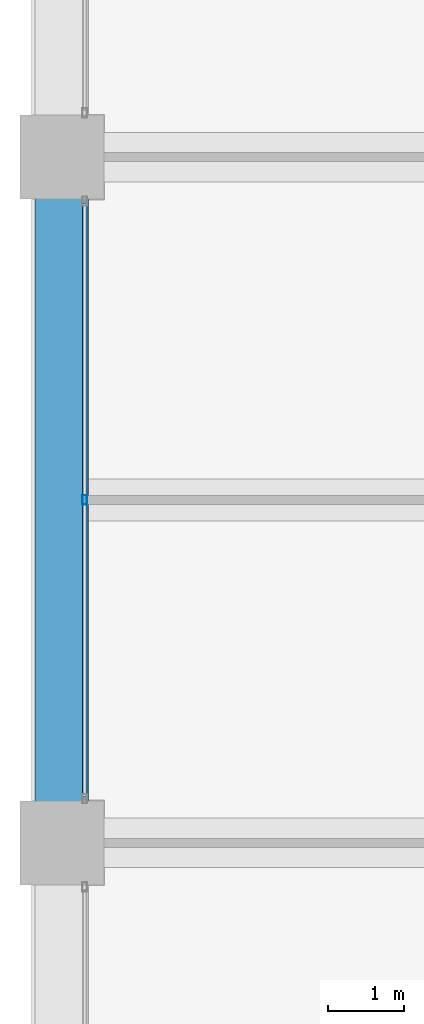
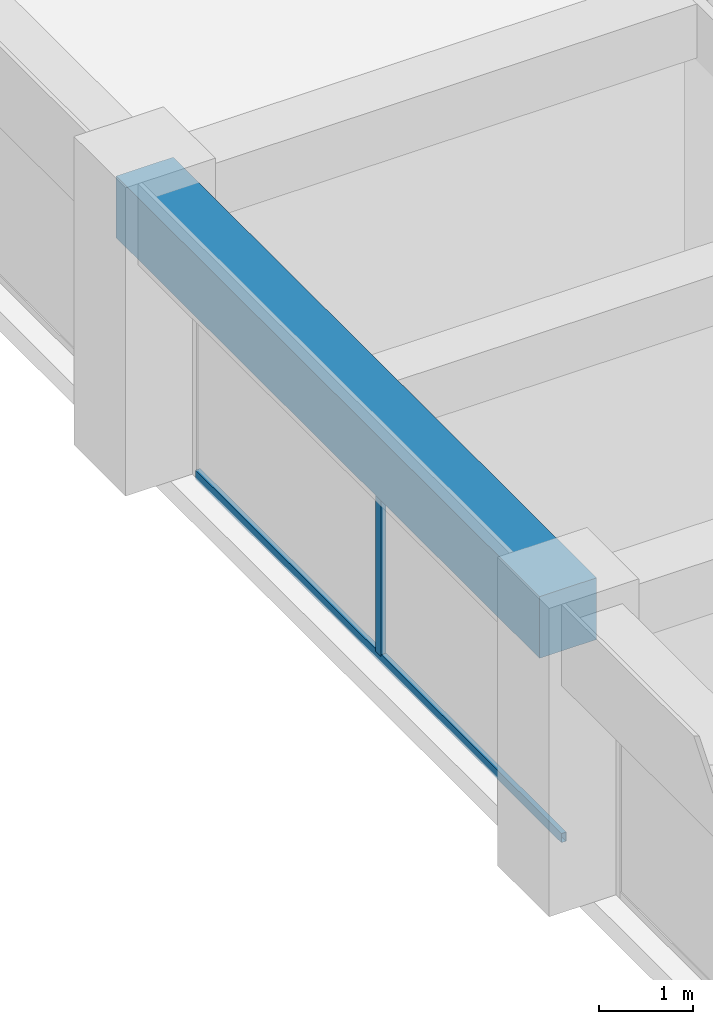
# One storey, part 14 of 44: 2 members, 1 beam, 1 element without a shape of its own.
"""IFC4 building model written with IfcOpenShell, lengths in metres."""

from ifc_helpers import new_model, si_unit, direction, frame, origin, origin_2d, place, context, subcontext, project, spatial, rectangle, hollow_rectangle, extrude, material, material_profile, profile_set, type_object, element, aggregate, save


model = new_model("IFC4")

# Units and contexts
model_context = context("Model", 3, precision=1e-05, world=origin(), true_north=direction((0.0, 1.0)))
body_context = subcontext(model_context, "Body", "Model", "MODEL_VIEW")
ifc_project = project(units=[si_unit("LENGTHUNIT", "METRE"), si_unit("AREAUNIT", "SQUARE_METRE"), si_unit("VOLUMEUNIT", "CUBIC_METRE"), si_unit("PLANEANGLEUNIT", "RADIAN"), si_unit("MASSUNIT", "GRAM", prefix="KILO")], contexts=[model_context])

# Site, building, storey
site_placement = place(None, origin())
site = spatial("IfcSite", under=ifc_project, at=site_placement, CompositionType="ELEMENT")
building_placement = place(site_placement, origin())
building = spatial("IfcBuilding", under=site, at=building_placement, Name="Zorevar Civic Tower", CompositionType="ELEMENT")
storey_placement = place(building_placement, frame((0.0, 0.0, 275.39990234375)))
storey = spatial("IfcBuildingStorey", under=building, at=storey_placement, Name="L67", CompositionType="ELEMENT", Elevation=275.39990234375)

# Curtain wall, members
ifc_material_1 = material(Name="Dark grey solar-control glass in black aluminium frame", Category="aluminium")
curtain_wall_type = type_object("IfcCurtainWallType", Name="Curtain wall CW5 top zone", PredefinedType="NOTDEFINED", material=ifc_material_1)
curtain_wall_placement = place(storey_placement, origin())
curtain_wall = element("IfcCurtainWall", 1, at=curtain_wall_placement, inside=storey, type_object=curtain_wall_type, Name="CW5 L67", PredefinedType="NOTDEFINED")
ifc_material_2 = material(Name="Aluminium, black anodised", Category="aluminium")
ifc_material_profile_1 = material_profile(ifc_material_2, hollow_rectangle(XDim=0.06005859375, YDim=0.1201171875, WallThickness=0.0029296875, at=origin_2d()), Name="AL 120x60x3")
ifc_profile_set_1 = profile_set([ifc_material_profile_1], Name="Aluminium, black anodised")
member_type_1 = type_object("IfcMemberType", Name="CW5 mullion AL 120x60x3", PredefinedType="MULLION", material=ifc_profile_set_1)
member_1_placement = place(storey_placement, frame((9.300048828125, 22.5, 0.06005859375), z_axis=(0.0, 0.0, 1.0), x_axis=(-1.0, 0.0, 0.0)))
member_1 = element("IfcMember", 2, at=member_1_placement, type_object=member_type_1, Name="CW5 mullion 2", PredefinedType="MULLION", context=body_context, shape_type="SweptSolid", body=[
    extrude(hollow_rectangle(XDim=0.06005859375, YDim=0.1201171875, WallThickness=0.0029296875, at=origin_2d()), origin(), (0.0, 0.0, 1.0), 2.89013671875),
])
ifc_material_3 = material(Name="Aluminium, black anodised", Category="aluminium")
ifc_material_profile_2 = material_profile(ifc_material_3, hollow_rectangle(XDim=0.06005859375, YDim=0.1201171875, WallThickness=0.0029296875, at=origin_2d()), Name="AL 120x60x3")
ifc_profile_set_2 = profile_set([ifc_material_profile_2], Name="Aluminium, black anodised")
member_type_2 = type_object("IfcMemberType", Name="CW5 transom AL 120x60x3", PredefinedType="USERDEFINED", material=ifc_profile_set_2)
member_2_placement = place(storey_placement, frame((9.300048828125, 18.610107421875, 0.030029296875), z_axis=(0.0, 1.0, 0.0), x_axis=(-1.0, 0.0, 0.0)))
member_2 = element("IfcMember", 3, at=member_2_placement, type_object=member_type_2, Name="CW5 sill transom", ObjectType="TRANSOM", PredefinedType="USERDEFINED", context=body_context, shape_type="SweptSolid", body=[
    extrude(hollow_rectangle(XDim=0.06005859375, YDim=0.1201171875, WallThickness=0.0029296875, at=origin_2d()), origin(), (0.0, 0.0, 1.0), 7.77978515625),
])
aggregate(curtain_wall, [member_1, member_2])

# Beam
ifc_material_4 = material(Name="Concrete C50/60", Category="concrete")
ifc_material_profile_3 = material_profile(ifc_material_4, rectangle(XDim=0.699951171875, YDim=0.800048828125, at=origin_2d()), Name="RC 700x800")
ifc_profile_set_3 = profile_set([ifc_material_profile_3], Name="Concrete C50/60")
beam_type = type_object("IfcBeamType", Name="Edge beam RC 700x800", PredefinedType="SPANDREL", material=ifc_profile_set_3)
beam_placement = place(storey_placement, frame((9.0, 18.0, 3.35009765625), z_axis=(0.0, 1.0, 0.0), x_axis=(-1.0, 0.0, 0.0)))
element("IfcBeam", 4, at=beam_placement, inside=storey, type_object=beam_type, Name="Edge beam L68", PredefinedType="SPANDREL", context=body_context, shape_type="SweptSolid", body=[
    extrude(rectangle(XDim=0.699951171875, YDim=0.800048828125, at=origin_2d()), origin(), (0.0, 0.0, 1.0), 9.0),
])

save(model, "model.ifc")
